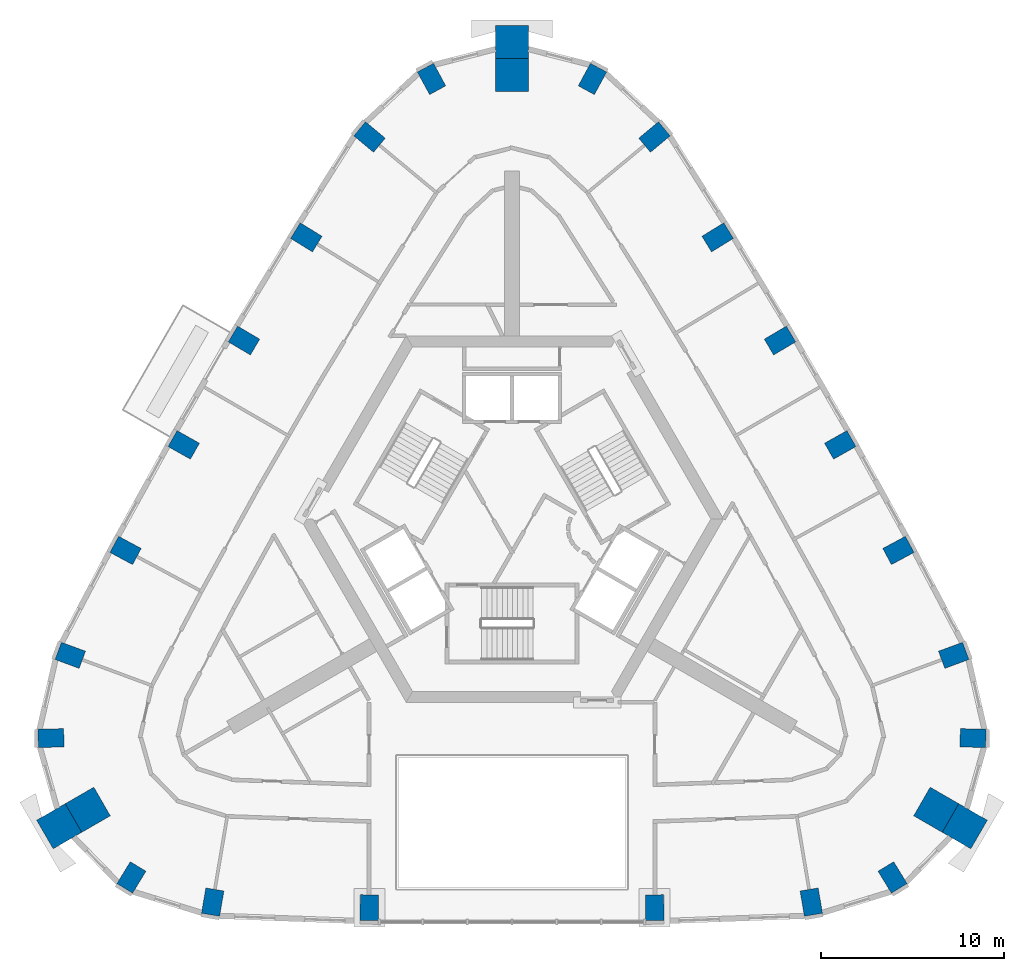
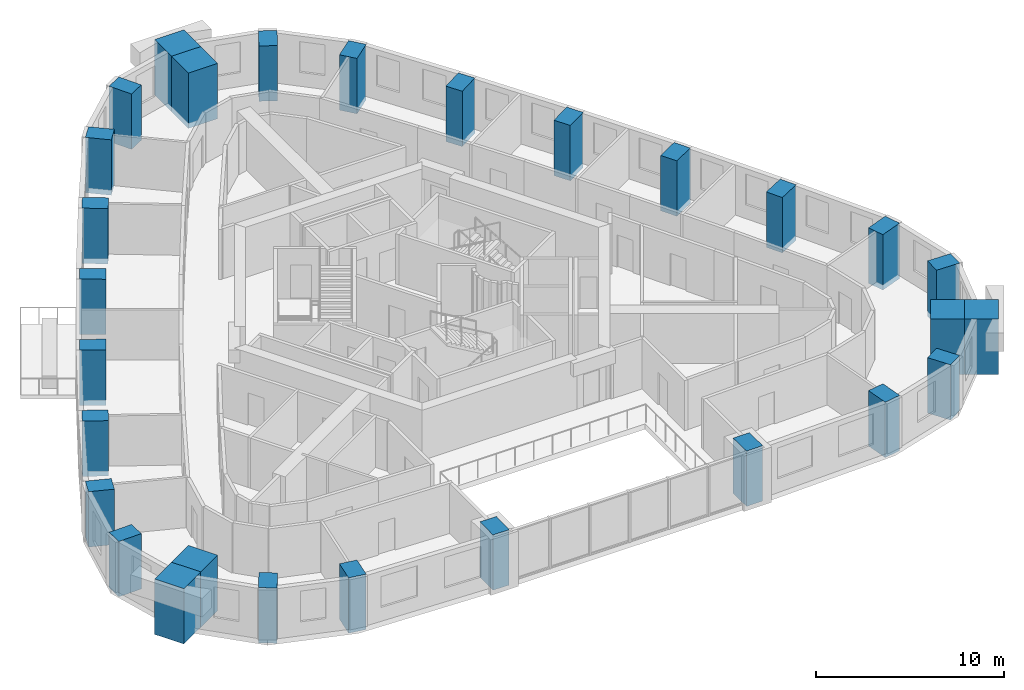
# One storey, part 1 of 11: 28 columns.
"""IFC4 building model written with IfcOpenShell, lengths in metres."""

from ifc_helpers import new_model, si_unit, direction, frame, origin, origin_2d, place, context, subcontext, project, spatial, rectangle, extrude, material, material_profile, profile_set, type_object, element, save


model = new_model("IFC4")

# Units and contexts
model_context = context("Model", 3, precision=1e-05, world=origin(), true_north=direction((0.0, 1.0)))
body_context = subcontext(model_context, "Body", "Model", "MODEL_VIEW")
ifc_project = project(units=[si_unit("LENGTHUNIT", "METRE"), si_unit("AREAUNIT", "SQUARE_METRE"), si_unit("VOLUMEUNIT", "CUBIC_METRE"), si_unit("PLANEANGLEUNIT", "RADIAN"), si_unit("MASSUNIT", "GRAM", prefix="KILO")], contexts=[model_context])

# Site, building, storey
site_placement = place(None, origin())
site = spatial("IfcSite", under=ifc_project, at=site_placement, CompositionType="ELEMENT")
building_placement = place(site_placement, origin())
building = spatial("IfcBuilding", under=site, at=building_placement, Name="Entoto Arch Interchange Tower", CompositionType="ELEMENT")
storey_placement = place(building_placement, frame((0.0, 0.0, 248.60009765625)))
storey = spatial("IfcBuildingStorey", under=building, at=storey_placement, Name="L56", CompositionType="ELEMENT", Elevation=248.60009765625)

# Columns
ifc_material_1 = material(Name="Concrete C40/50", Category="concrete")
ifc_material_profile_1 = material_profile(ifc_material_1, rectangle(XDim=1.0, YDim=1.39990234375, at=origin_2d()))
ifc_profile_set_1 = profile_set([ifc_material_profile_1], Name="Concrete C40/50")
column_type_1 = type_object("IfcColumnType", Name="Column RC 1000x1400 C40/50", PredefinedType="COLUMN", material=ifc_profile_set_1)
for number, where, z_axis, x_axis, name in (
    (1, (-16.330078125, -18.404052734375, -0.340087890625), (0.0, 0.0, 1.0), (-0.985952343326, 0.167026874157, 0.0), "Column S01 L56"),
    (2, (-7.783935546875, -18.7080078125, -0.340087890625), (0.0, 0.0, 1.0), (-0.999832723398, 0.018290030661, 0.0), "Column S02 L56"),
    (3, (7.783935546875, -18.7080078125, -0.340087890625), (0.0, 0.0, 1.0), (0.999832723398, 0.018290030661, 0.0), "Column S03 L56"),
    (4, (16.330078125, -18.404052734375, -0.340087890625), (0.0, 0.0, 1.0), (0.985952343326, 0.167026874157, 0.0), "Column S04 L56"),
    (5, (20.764892578125, -17.056884765625, -0.340087890625), (0.0, 0.0, 1.0), (0.853341581839, 0.521352227103, 0.0), "Column SE1 L56"),
    (6, (25.154052734375, -9.4541015625, -0.340087890625), (0.0, 0.0, 1.0), (0.024833482072, 0.999691601529, 0.0), "Column SE3 L56"),
    (7, (24.10205078125, -4.93896484375, -0.340087890625), (0.0, 0.0, 1.0), (-0.346853804003, 0.937919206888, 0.0), "Column NE01 L56"),
    (8, (21.0859375, 0.783935546875, -0.340087890625), (0.0, 0.0, 1.0), (-0.473980634908, 0.880535267739, 0.0), "Column NE02 L56"),
    (9, (17.910888671875, 6.5439453125, -0.340087890625), (0.0, 0.0, 1.0), (-0.491375053773, 0.870948079124, 0.0), "Column NE03 L56"),
    (10, (14.623046875, 12.239013671875, -0.340087890625), (0.0, 0.0, 1.0), (-0.508575635012, 0.861017318916, 0.0), "Column NE04 L56"),
    (11, (11.221923828125, 17.868896484375, -0.340087890625), (0.0, 0.0, 1.0), (-0.525575593337, 0.850746904601, 0.0), "Column NE05 L56"),
    (12, (7.77392578125, 23.343017578125, -0.340087890625), (0.0, 0.0, 1.0), (-0.638834957861, 0.769343809109, 0.0), "Column NE06 L56"),
    (13, (4.388916015625, 26.511962890625, -0.340087890625), (0.0, 0.0, 1.0), (-0.87817506391, 0.478339374426, 0.0), "Column N1 L56"),
    (14, (-4.388916015625, 26.511962890625, -0.340087890625), (0.0, 0.0, 1.0), (0.87817506391, 0.478339374426, 0.0), "Column N3 L56"),
    (15, (-7.77392578125, 23.343017578125, -0.340087890625), (0.0, 0.0, 1.0), (0.638834957861, 0.769343809109, 0.0), "Column NW01 L56"),
    (16, (-11.221923828125, 17.868896484375, -0.340087890625), (0.0, 0.0, 1.0), (0.525575593337, 0.850746904601, 0.0), "Column NW02 L56"),
    (17, (-14.623046875, 12.239013671875, -0.340087890625), (0.0, 0.0, 1.0), (0.508575635012, 0.861017318916, 0.0), "Column NW03 L56"),
    (18, (-17.910888671875, 6.5439453125, -0.340087890625), (0.0, 0.0, 1.0), (0.491375053773, 0.870948079124, 0.0), "Column NW04 L56"),
    (19, (-21.0859375, 0.783935546875, -0.340087890625), (0.0, 0.0, 1.0), (0.473980634908, 0.880535267739, 0.0), "Column NW05 L56"),
    (20, (-24.10205078125, -4.93896484375, -0.340087890625), (0.0, 0.0, 1.0), (0.346853804003, 0.937919206888, 0.0), "Column NW06 L56"),
    (21, (-25.154052734375, -9.4541015625, -0.340087890625), (0.0, 0.0, 1.0), (-0.024833482072, 0.999691601529, 0.0), "Column SW1 L56"),
    (22, (-20.764892578125, -17.056884765625, -0.340087890625), (0.0, 0.0, 1.0), (-0.853341581839, 0.521352227103, 0.0), "Column SW3 L56"),
):
    element("IfcColumn", number, at=place(storey_placement, frame(where, z_axis=z_axis, x_axis=x_axis)), inside=storey, type_object=column_type_1, Name=name, PredefinedType="COLUMN", context=body_context, shape_type="SweptSolid", body=[
        extrude(rectangle(XDim=1.0, YDim=1.39990234375, at=origin_2d()), origin(), (0.0, 0.0, 1.0), 3.60009765625),
    ])
ifc_material_2 = material(Name="Precast concrete C40/50", Category="concrete")
ifc_material_profile_2 = material_profile(ifc_material_2, rectangle(XDim=1.800048828125, YDim=1.800048828125, at=origin_2d()))
ifc_profile_set_2 = profile_set([ifc_material_profile_2], Name="Precast concrete C40/50")
column_type_2 = type_object("IfcColumnType", Name="Frame post RC 1800x1800 precast C40/50", PredefinedType="COLUMN", material=ifc_profile_set_2)
for number, where, z_axis, x_axis, name in (
    (23, (24.70703125, -14.264892578125, -0.340087890625), (0.0, 0.0, 1.0), (-0.866025403784, 0.5, 0.0), "Frame post SE L56"),
    (24, (0.0, 28.529052734375, -0.340087890625), (0.0, 0.0, 1.0), (0.0, 1.0, 0.0), "Frame post N L56"),
    (25, (-24.70703125, -14.264892578125, -0.340087890625), (0.0, 0.0, 1.0), (0.866025403784, 0.5, 0.0), "Frame post SW L56"),
):
    element("IfcColumn", number, at=place(storey_placement, frame(where, z_axis=z_axis, x_axis=x_axis)), inside=storey, type_object=column_type_2, Name=name, PredefinedType="COLUMN", context=body_context, shape_type="SweptSolid", body=[
        extrude(rectangle(XDim=1.800048828125, YDim=1.800048828125, at=origin_2d()), origin(), (0.0, 0.0, 1.0), 3.60009765625),
    ])
ifc_material_profile_3 = material_profile(ifc_material_1, rectangle(XDim=1.800048828125, YDim=1.800048828125, at=origin_2d()))
ifc_profile_set_3 = profile_set([ifc_material_profile_3], Name="Concrete C40/50")
column_type_3 = type_object("IfcColumnType", Name="Mega column RC 1800x1800 C40/50", PredefinedType="COLUMN", material=ifc_profile_set_3)
for number, where, z_axis, x_axis, name in (
    (26, (23.14794921875, -13.364990234375, -0.340087890625), (0.0, 0.0, 1.0), (-0.866025403784, 0.5, 0.0), "Corner mega column SE2 L56"),
    (27, (0.0, 26.72900390625, -0.340087890625), (0.0, 0.0, 1.0), (0.0, 1.0, 0.0), "Corner mega column N2 L56"),
    (28, (-23.14794921875, -13.364990234375, -0.340087890625), (0.0, 0.0, 1.0), (0.866025403784, 0.5, 0.0), "Corner mega column SW2 L56"),
):
    element("IfcColumn", number, at=place(storey_placement, frame(where, z_axis=z_axis, x_axis=x_axis)), inside=storey, type_object=column_type_3, Name=name, PredefinedType="COLUMN", context=body_context, shape_type="SweptSolid", body=[
        extrude(rectangle(XDim=1.800048828125, YDim=1.800048828125, at=origin_2d()), origin(), (0.0, 0.0, 1.0), 3.60009765625),
    ])

save(model, "model.ifc")
